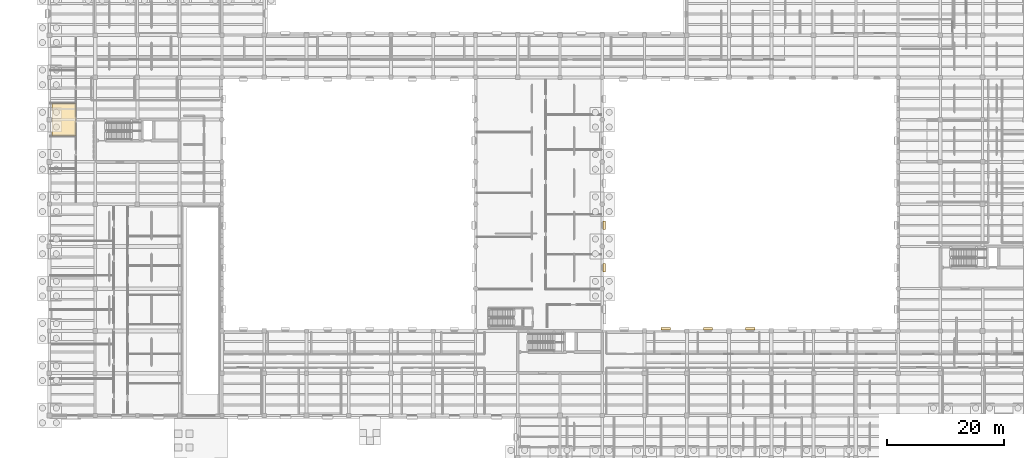
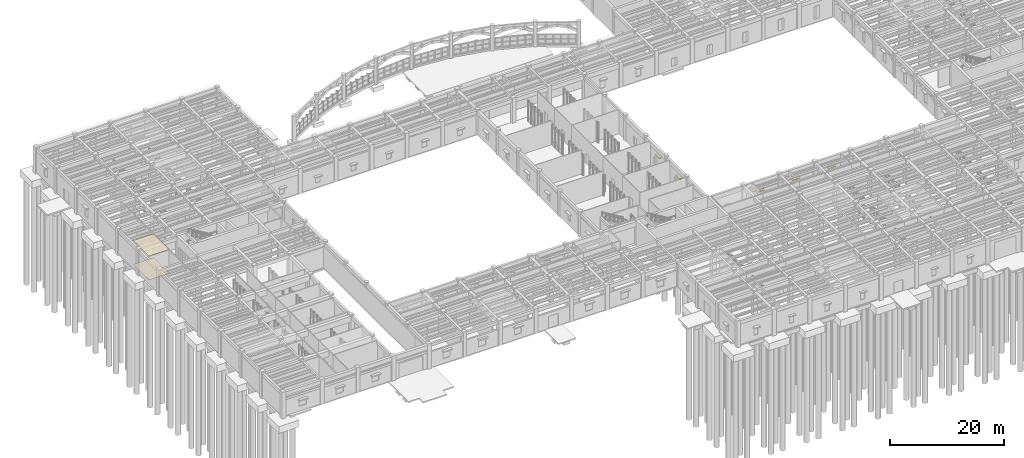
# One storey, part 92 of 100: 7 coverings.
"""IFC4 building model written with IfcOpenShell, lengths in metres."""

from ifc_helpers import new_model, si_unit, direction, frame, origin, origin_2d, place, context, subcontext, project, spatial, polyline, rectangle, outline, extrude, material, layer, layer_set, type_object, element, save


model = new_model("IFC4")

# Units and contexts
model_context = context("Model", 3, precision=1e-05, world=origin(), true_north=direction((0.0, 1.0)))
body_context = subcontext(model_context, "Body", "Model", "MODEL_VIEW")
ifc_project = project(units=[si_unit("LENGTHUNIT", "METRE"), si_unit("AREAUNIT", "SQUARE_METRE"), si_unit("VOLUMEUNIT", "CUBIC_METRE"), si_unit("PLANEANGLEUNIT", "RADIAN"), si_unit("MASSUNIT", "GRAM", prefix="KILO")], contexts=[model_context])

# Site, building, storey
site_placement = place(None, origin())
site = spatial("IfcSite", under=ifc_project, at=site_placement, CompositionType="ELEMENT")
building_placement = place(site_placement, origin())
building = spatial("IfcBuilding", under=site, at=building_placement, Name="Mithqara Police Headquarters", CompositionType="ELEMENT")
storey_placement = place(building_placement, origin())
storey = spatial("IfcBuildingStorey", under=building, at=storey_placement, Name="L00", CompositionType="ELEMENT", Elevation=0.0)

# Coverings
ifc_material_1 = material(Name="Acoustic mineral-fibre ceiling tile", Category="gypsum")
ifc_layer_1 = layer(ifc_material_1, 0.02490234375, Name="Acoustic mineral-fibre ceiling tile")
ifc_layer_set_1 = layer_set([ifc_layer_1], Name="Acoustic mineral-fibre ceiling tile")
covering_type_1 = type_object("IfcCoveringType", Name="ACOUSTIC CEILING TILE", PredefinedType="CEILING", material=ifc_layer_set_1)
covering_1_placement = place(storey_placement, frame((0.0, 0.0, 5.094970703125)))
element("IfcCovering", 1, at=covering_1_placement, inside=storey, type_object=covering_type_1, Name="Report Writing Room Acoustic Ceiling", PredefinedType="CEILING", context=body_context, shape_type="SweptSolid", body=[
    extrude(outline(polyline([(0.43994140625, 68.6240234375), (4.510009765625, 68.6240234375), (4.510009765625, 74.176025390625), (0.43994140625, 74.176025390625), (0.43994140625, 68.6240234375)])), origin(), (0.0, 0.0, 1.0), 0.025146484375),
])
ifc_material_2 = material(Name="Polished limestone terrazzo flooring", Category="masonry")
ifc_layer_2 = layer(ifc_material_2, 0.02001953125, Name="Polished limestone terrazzo flooring")
ifc_layer_set_2 = layer_set([ifc_layer_2], Name="Polished limestone terrazzo flooring")
covering_type_2 = type_object("IfcCoveringType", Name="TERRAZZO FLOOR FINISH", PredefinedType="FLOORING", material=ifc_layer_set_2)
covering_2_placement = place(storey_placement, origin())
element("IfcCovering", 2, at=covering_2_placement, inside=storey, type_object=covering_type_2, Name="Report Writing Room Terrazzo Floor Finish", PredefinedType="FLOORING", context=body_context, shape_type="SweptSolid", body=[
    extrude(outline(polyline([(0.43994140625, 68.6240234375), (4.510009765625, 68.6240234375), (4.510009765625, 74.176025390625), (0.43994140625, 74.176025390625), (0.43994140625, 68.6240234375)])), origin(), (0.0, 0.0, 1.0), 0.02001953125),
])
ifc_material_3 = material(Name="Limestone ashlar masonry, 45 MPa", Category="masonry")
ifc_layer_3 = layer(ifc_material_3, 0.239990234375, Name="Limestone ashlar masonry, 45 MPa")
ifc_layer_set_3 = layer_set([ifc_layer_3], Name="Limestone ashlar masonry, 45 MPa")
covering_type_3 = type_object("IfcCoveringType", Name="WINDOW HOOD LIMESTONE", PredefinedType="CLADDING", material=ifc_layer_set_3)
for number, where, z_axis, x_axis, name in (
    (3, (94.550048828125, 46.199951171875, 2.6201171875), (0.0, 0.0, 1.0), (0.0, 1.0, 0.0), "L00 Limestone Window Architrave Hood 1.2"),
    (4, (94.550048828125, 53.39990234375, 2.6201171875), (0.0, 0.0, 1.0), (0.0, 1.0, 0.0), "L00 Limestone Window Architrave Hood 1.3"),
):
    element("IfcCovering", number, at=place(storey_placement, frame(where, z_axis=z_axis, x_axis=x_axis)), inside=storey, type_object=covering_type_3, Name=name, PredefinedType="CLADDING", context=body_context, shape_type="SweptSolid", body=[
        extrude(rectangle(XDim=1.43994140625, YDim=0.4599609375, at=origin_2d()), origin(), (0.0, 0.0, 1.0), 0.219970703125),
    ])
for number, where, z_axis, x_axis, name in (
    (5, (105.0, 35.75, 2.3701171875), (0.0, 0.0, 1.0), (1.0, 0.0, 0.0), "L00 Limestone Window Architrave Hood 5.2"),
    (6, (112.199951171875, 35.75, 2.3701171875), (0.0, 0.0, 1.0), (1.0, 0.0, 0.0), "L00 Limestone Window Architrave Hood 5.3"),
    (7, (119.39990234375, 35.75, 2.3701171875), (0.0, 0.0, 1.0), (1.0, 0.0, 0.0), "L00 Limestone Window Architrave Hood 5.4"),
):
    element("IfcCovering", number, at=place(storey_placement, frame(where, z_axis=z_axis, x_axis=x_axis)), inside=storey, type_object=covering_type_3, Name=name, PredefinedType="CLADDING", context=body_context, shape_type="SweptSolid", body=[
        extrude(rectangle(XDim=1.590087890625, YDim=0.4599609375, at=origin_2d()), origin(), (0.0, 0.0, 1.0), 0.219970703125),
    ])

save(model, "model.ifc")
